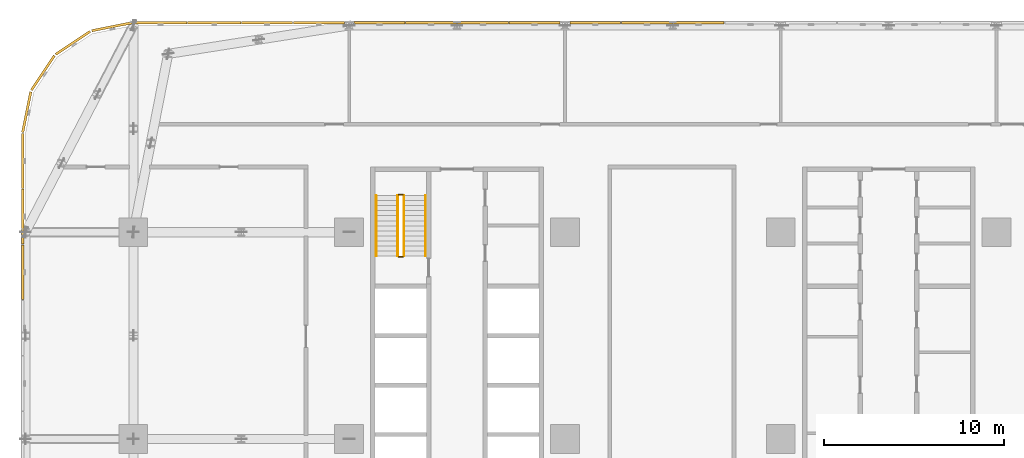
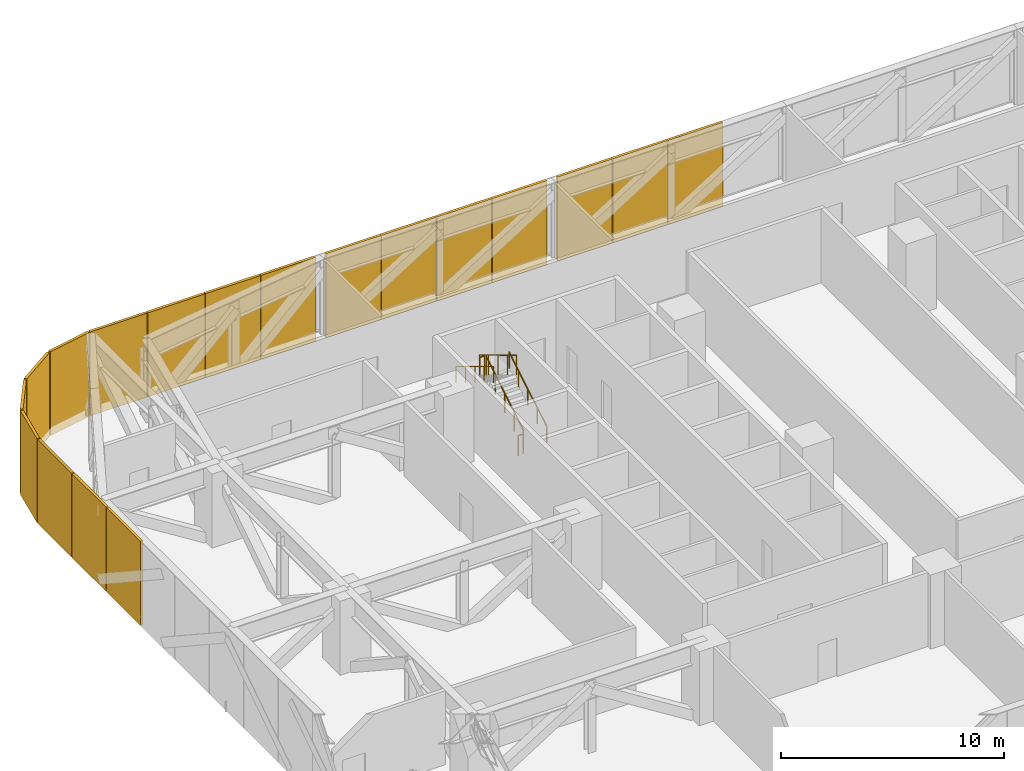
# One storey, part 22 of 25: 18 coverings, 6 railings.
"""IFC4 building model written with IfcOpenShell, lengths in metres."""

from ifc_helpers import new_model, si_unit, direction, frame, origin, origin_2d, place, context, subcontext, project, spatial, rectangle, circle, extrude, material, type_object, element, save


model = new_model("IFC4")

# Units and contexts
model_context = context("Model", 3, precision=1e-05, world=origin(), true_north=direction((0.0, 1.0)))
body_context = subcontext(model_context, "Body", "Model", "MODEL_VIEW")
ifc_project = project(units=[si_unit("LENGTHUNIT", "METRE"), si_unit("AREAUNIT", "SQUARE_METRE"), si_unit("VOLUMEUNIT", "CUBIC_METRE"), si_unit("PLANEANGLEUNIT", "RADIAN"), si_unit("MASSUNIT", "GRAM", prefix="KILO")], contexts=[model_context])

# Site, building, storey
site_placement = place(None, origin())
site = spatial("IfcSite", under=ifc_project, at=site_placement, CompositionType="ELEMENT")
building_placement = place(site_placement, origin())
building = spatial("IfcBuilding", under=site, at=building_placement, Name="Mahtab Terrace Research Tower", CompositionType="ELEMENT")
storey_placement = place(building_placement, frame((0.0, 0.0, 41.60009765625)))
storey = spatial("IfcBuildingStorey", under=building, at=storey_placement, Name="L09", CompositionType="ELEMENT", Elevation=41.60009765625)

# Coverings
ifc_material_1 = material(Name="Natural anodised aluminium", Category="aluminium")
covering_type = type_object("IfcCoveringType", Name="Plant storey louvre bay", PredefinedType="CLADDING", material=ifc_material_1)
for number, where, z_axis, x_axis, name in (
    (1, (-10.562255859375, 23.159912109375, -0.55029296875), (0.0, 0.0, 1.0), (-1.0, 0.0, 0.0), "Louvre bay L09 42"),
    (2, (-13.437744140625, 23.159912109375, -0.55029296875), (0.0, 0.0, 1.0), (-1.0, 0.0, 0.0), "Louvre bay L09 43"),
    (3, (-16.313232421875, 23.159912109375, -0.55029296875), (0.0, 0.0, 1.0), (-1.0, 0.0, 0.0), "Louvre bay L09 44"),
    (4, (-19.686767578125, 23.159912109375, -0.55029296875), (0.0, 0.0, 1.0), (-1.0, 0.0, 0.0), "Louvre bay L09 45"),
    (5, (-22.562255859375, 23.159912109375, -0.55029296875), (0.0, 0.0, 1.0), (-1.0, 0.0, 0.0), "Louvre bay L09 46"),
    (6, (-25.437744140625, 23.159912109375, -0.55029296875), (0.0, 0.0, 1.0), (-1.0, 0.0, 0.0), "Louvre bay L09 47"),
    (7, (-28.313232421875, 23.159912109375, -0.55029296875), (0.0, 0.0, 1.0), (-1.0, 0.0, 0.0), "Louvre bay L09 48"),
    (8, (-31.686767578125, 23.159912109375, -0.55029296875), (0.0, 0.0, 1.0), (-1.0, 0.0, 0.0), "Louvre bay L09 49"),
    (9, (-34.562255859375, 23.159912109375, -0.55029296875), (0.0, 0.0, 1.0), (-1.0, 0.0, 0.0), "Louvre bay L09 50"),
):
    element("IfcCovering", number, at=place(storey_placement, frame(where, z_axis=z_axis, x_axis=x_axis)), inside=storey, type_object=covering_type, Name=name, PredefinedType="CLADDING", context=body_context, shape_type="SweptSolid", body=[
        extrude(rectangle(XDim=2.83544921875, YDim=0.139892578125, at=origin_2d()), origin(), (0.0, 0.0, 1.0), 4.610107421875),
    ])
for number, where, z_axis, x_axis, name in (
    (10, (-37.5, 23.159912109375, -0.55029296875), (0.0, 0.0, 1.0), (-1.0, 0.0, 0.0), "Louvre bay L09 51"),
    (11, (-40.5, 23.159912109375, -0.55029296875), (0.0, 0.0, 1.0), (-1.0, 0.0, 0.0), "Louvre bay L09 52"),
):
    element("IfcCovering", number, at=place(storey_placement, frame(where, z_axis=z_axis, x_axis=x_axis)), inside=storey, type_object=covering_type, Name=name, PredefinedType="CLADDING", context=body_context, shape_type="SweptSolid", body=[
        extrude(rectangle(XDim=2.9599609375, YDim=0.139892578125, at=origin_2d()), origin(), (0.0, 0.0, 1.0), 4.610107421875),
    ])
for number, where, z_axis, x_axis, name in (
    (12, (-43.17919921875, 22.928466796875, -0.55029296875), (0.0, 0.0, 1.0), (-0.980760981187, -0.195212442692, 0.0), "Louvre bay L09 53"),
    (13, (-45.3583984375, 22.026123046875, -0.55029296875), (0.0, 0.0, 1.0), (-0.831655794326, -0.555291490808, 0.0), "Louvre bay L09 54"),
    (14, (-47.026123046875, 20.3583984375, -0.55029296875), (0.0, 0.0, 1.0), (-0.555291490808, -0.831655794326, 0.0), "Louvre bay L09 55"),
    (15, (-47.928466796875, 18.17919921875, -0.55029296875), (0.0, 0.0, 1.0), (-0.195212442692, -0.980760981187, 0.0), "Louvre bay L09 56"),
):
    element("IfcCovering", number, at=place(storey_placement, frame(where, z_axis=z_axis, x_axis=x_axis)), inside=storey, type_object=covering_type, Name=name, PredefinedType="CLADDING", context=body_context, shape_type="SweptSolid", body=[
        extrude(rectangle(XDim=2.301025390625, YDim=0.139892578125, at=origin_2d()), origin(), (0.0, 0.0, 1.0), 4.610107421875),
    ])
for number, where, z_axis, x_axis, name in (
    (16, (-48.159912109375, 15.45458984375, -0.55029296875), (0.0, 0.0, 1.0), (0.0, -1.0, 0.0), "Louvre bay L09 57"),
    (17, (-48.159912109375, 12.363525390625, -0.55029296875), (0.0, 0.0, 1.0), (0.0, -1.0, 0.0), "Louvre bay L09 58"),
    (18, (-48.159912109375, 9.272705078125, -0.55029296875), (0.0, 0.0, 1.0), (0.0, -1.0, 0.0), "Louvre bay L09 59"),
):
    element("IfcCovering", number, at=place(storey_placement, frame(where, z_axis=z_axis, x_axis=x_axis)), inside=storey, type_object=covering_type, Name=name, PredefinedType="CLADDING", context=body_context, shape_type="SweptSolid", body=[
        extrude(rectangle(XDim=3.051025390625, YDim=0.139892578125, at=origin_2d()), origin(), (0.0, 0.0, 1.0), 4.610107421875),
    ])

# Railings
ifc_material_2 = material(Name="Stainless steel AISI 304", Category="steel")
railing_type_1 = type_object("IfcRailingType", Name="Stair guard 1100", PredefinedType="GUARDRAIL", material=ifc_material_2)
railing_1_placement = place(storey_placement, frame((-26.949951171875, 10.175048828125, 0.169189453125)))
element("IfcRailing", 19, at=railing_1_placement, inside=storey, type_object=railing_type_1, Name="L09 ST1 stair guard 1", PredefinedType="GUARDRAIL", context=body_context, shape_type="SweptSolid", body=[
    extrude(circle(Radius=0.02392578125, at=origin_2d()), frame((0.0, 0.0, 1.076171875), z_axis=(0.0, 0.855820338506, 0.51727318527), x_axis=(-1.0, 0.0, 0.0)), (0.0, 0.0, 1.0), 3.92578125),
    extrude(circle(Radius=0.02099609375, at=origin_2d()), origin(), (0.0, 0.0, 1.0), 1.052001953125),
    extrude(circle(Radius=0.02099609375, at=origin_2d()), frame((0.0, 0.83984375, 0.5078125)), (0.0, 0.0, 1.0), 1.052001953125),
    extrude(circle(Radius=0.02099609375, at=origin_2d()), frame((0.0, 1.679931640625, 1.015380859375)), (0.0, 0.0, 1.0), 1.052001953125),
    extrude(circle(Radius=0.02099609375, at=origin_2d()), frame((0.0, 2.52001953125, 1.52294921875)), (0.0, 0.0, 1.0), 1.052001953125),
    extrude(circle(Radius=0.02099609375, at=origin_2d()), frame((0.0, 3.35986328125, 2.03076171875)), (0.0, 0.0, 1.0), 1.052001953125),
])
railing_2_placement = place(storey_placement, frame((-27.0, 13.5849609375, 2.199951171875)))
element("IfcRailing", 20, at=railing_2_placement, inside=storey, type_object=railing_type_1, Name="L09 ST1 stair guard 2", PredefinedType="GUARDRAIL", context=body_context, shape_type="SweptSolid", body=[
    extrude(circle(Radius=0.02392578125, at=origin_2d()), frame((0.0, 0.0, 1.076171875), z_axis=(-1.0, 0.0, 0.0), x_axis=(0.0, -1.0, 0.0)), (0.0, 0.0, 1.0), 0.25),
    extrude(circle(Radius=0.02099609375, at=origin_2d()), origin(), (0.0, 0.0, 1.0), 1.052001953125),
    extrude(circle(Radius=0.02099609375, at=origin_2d()), frame((-0.25, 0.0, 0.0)), (0.0, 0.0, 1.0), 1.052001953125),
])
railing_3_placement = place(storey_placement, frame((-27.300048828125, 13.534912109375, 2.369140625)))
element("IfcRailing", 21, at=railing_3_placement, inside=storey, type_object=railing_type_1, Name="L09 ST1 stair guard 3", PredefinedType="GUARDRAIL", context=body_context, shape_type="SweptSolid", body=[
    extrude(circle(Radius=0.02392578125, at=origin_2d()), frame((0.0, 0.0, 1.076171875), z_axis=(0.0, -0.855820338506, 0.51727318527), x_axis=(1.0, 0.0, 0.0)), (0.0, 0.0, 1.0), 3.92578125),
    extrude(circle(Radius=0.02099609375, at=origin_2d()), origin(), (0.0, 0.0, 1.0), 1.052001953125),
    extrude(circle(Radius=0.02099609375, at=origin_2d()), frame((0.0, -0.83984375, 0.5078125)), (0.0, 0.0, 1.0), 1.052001953125),
    extrude(circle(Radius=0.02099609375, at=origin_2d()), frame((0.0, -1.679931640625, 1.015380859375)), (0.0, 0.0, 1.0), 1.052001953125),
    extrude(circle(Radius=0.02099609375, at=origin_2d()), frame((0.0, -2.52001953125, 1.52294921875)), (0.0, 0.0, 1.0), 1.052001953125),
    extrude(circle(Radius=0.02099609375, at=origin_2d()), frame((0.0, -3.35986328125, 2.03076171875)), (0.0, 0.0, 1.0), 1.052001953125),
])
railing_4_placement = place(storey_placement, frame((-27.0, 10.125, 0.0)))
element("IfcRailing", 22, at=railing_4_placement, inside=storey, type_object=railing_type_1, Name="L09 ST1 stair guard 4", PredefinedType="GUARDRAIL", context=body_context, shape_type="SweptSolid", body=[
    extrude(circle(Radius=0.02392578125, at=origin_2d()), frame((0.0, 0.0, 1.076171875), z_axis=(-1.0, 0.0, 0.0), x_axis=(0.0, -1.0, 0.0)), (0.0, 0.0, 1.0), 0.25),
    extrude(circle(Radius=0.02099609375, at=origin_2d()), origin(), (0.0, 0.0, 1.0), 1.052001953125),
    extrude(circle(Radius=0.02099609375, at=origin_2d()), frame((-0.25, 0.0, 0.0)), (0.0, 0.0, 1.0), 1.052001953125),
])
railing_type_2 = type_object("IfcRailingType", Name="Stair handrail 900", PredefinedType="HANDRAIL", material=ifc_material_2)
railing_5_placement = place(storey_placement, frame((-25.75, 10.175048828125, 0.169189453125)))
element("IfcRailing", 23, at=railing_5_placement, inside=storey, type_object=railing_type_2, Name="L09 ST1 stair handrail 1", PredefinedType="HANDRAIL", context=body_context, shape_type="SweptSolid", body=[
    extrude(circle(Radius=0.02392578125, at=origin_2d()), frame((0.0, 0.0, 0.8759765625), z_axis=(0.0, 0.855820338506, 0.51727318527), x_axis=(-1.0, 0.0, 0.0)), (0.0, 0.0, 1.0), 3.92578125),
    extrude(circle(Radius=0.02099609375, at=origin_2d()), origin(), (0.0, 0.0, 1.0), 0.851806640625),
    extrude(circle(Radius=0.02099609375, at=origin_2d()), frame((0.0, 0.83984375, 0.5078125)), (0.0, 0.0, 1.0), 0.851806640625),
    extrude(circle(Radius=0.02099609375, at=origin_2d()), frame((0.0, 1.679931640625, 1.015380859375)), (0.0, 0.0, 1.0), 0.851806640625),
    extrude(circle(Radius=0.02099609375, at=origin_2d()), frame((0.0, 2.52001953125, 1.52294921875)), (0.0, 0.0, 1.0), 0.851806640625),
    extrude(circle(Radius=0.02099609375, at=origin_2d()), frame((0.0, 3.35986328125, 2.03076171875)), (0.0, 0.0, 1.0), 0.851806640625),
])
railing_6_placement = place(storey_placement, frame((-28.5, 13.534912109375, 2.369140625)))
element("IfcRailing", 24, at=railing_6_placement, inside=storey, type_object=railing_type_2, Name="L09 ST1 stair handrail 2", PredefinedType="HANDRAIL", context=body_context, shape_type="SweptSolid", body=[
    extrude(circle(Radius=0.02392578125, at=origin_2d()), frame((0.0, 0.0, 0.8759765625), z_axis=(0.0, -0.855820338506, 0.51727318527), x_axis=(1.0, 0.0, 0.0)), (0.0, 0.0, 1.0), 3.92578125),
    extrude(circle(Radius=0.02099609375, at=origin_2d()), origin(), (0.0, 0.0, 1.0), 0.851806640625),
    extrude(circle(Radius=0.02099609375, at=origin_2d()), frame((0.0, -0.83984375, 0.5078125)), (0.0, 0.0, 1.0), 0.851806640625),
    extrude(circle(Radius=0.02099609375, at=origin_2d()), frame((0.0, -1.679931640625, 1.015380859375)), (0.0, 0.0, 1.0), 0.851806640625),
    extrude(circle(Radius=0.02099609375, at=origin_2d()), frame((0.0, -2.52001953125, 1.52294921875)), (0.0, 0.0, 1.0), 0.851806640625),
    extrude(circle(Radius=0.02099609375, at=origin_2d()), frame((0.0, -3.35986328125, 2.03076171875)), (0.0, 0.0, 1.0), 0.851806640625),
])

save(model, "model.ifc")
